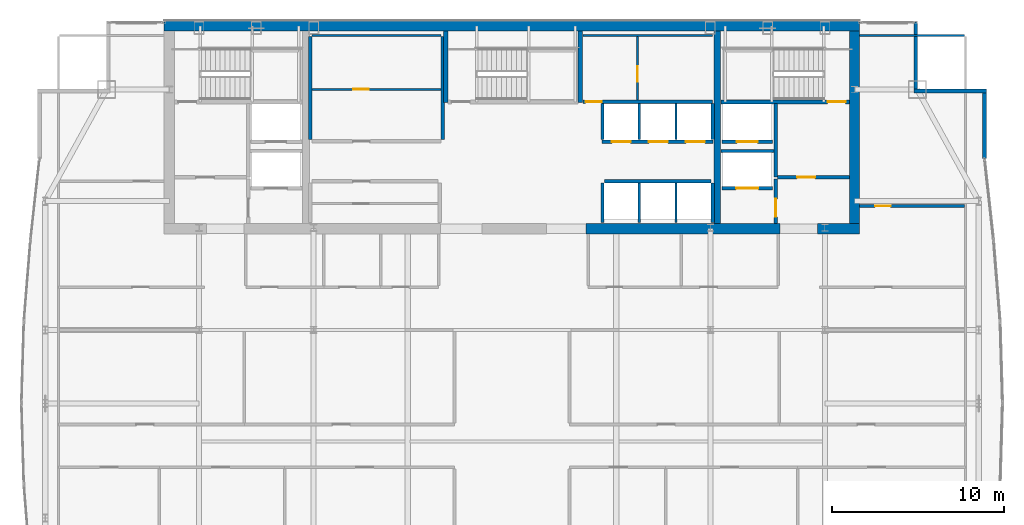
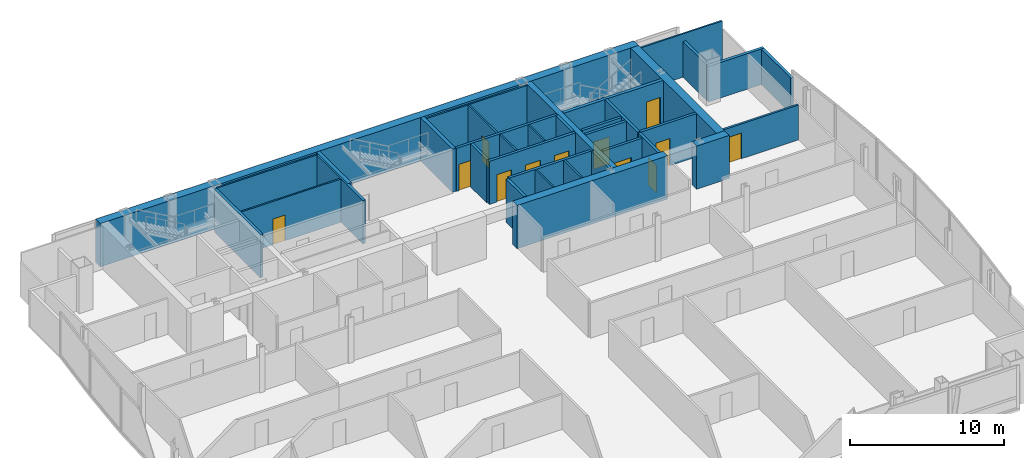
# One storey, part 26 of 29: 36 walls, 12 doors, 12 openings.
"""IFC4 building model written with IfcOpenShell, lengths in metres."""

import ifcopenshell
import ifcopenshell.guid

model = None  # the IFC model being written
_history = None  # IfcOwnerHistory: only IFC2X3 demands one
_inside = {}  # id of a spatial element -> (the spatial element, [elements in it])
_under = {}  # id of a project, library or spatial element -> (it, [spatial elements below it])
_declared = {}  # id of a project -> (the project, [libraries it declares])
_typed = {}  # id of a type object -> (the type object, [elements of that type])
_made_of = {}  # id of a material, layer set ... -> (it, [elements and type objects made of it])


def new_model(schema):
    """Start an empty IFC model of exactly this schema.

    Asked for "IFC4X3", IfcOpenShell would pick the latest addendum, in which some entities
    have other attributes; the version numbers below select the first issue.
    IFC2X3 requires an IfcOwnerHistory on every rooted entity: one is made here for all.
    """
    global model, _history
    if schema == "IFC4X3":
        model = ifcopenshell.file(schema_version=(4, 3, 0, 0))
    else:
        model = ifcopenshell.file(schema=schema)
    _inside.clear()
    _under.clear()
    _declared.clear()
    _typed.clear()
    _made_of.clear()
    _history = None
    if model.schema == "IFC2X3":
        org = make("IfcOrganization", Name="unknown")
        user = make(
            "IfcPersonAndOrganization",
            ThePerson=make("IfcPerson", FamilyName="unknown"),
            TheOrganization=org,
        )
        app = make(
            "IfcApplication",
            ApplicationDeveloper=org,
            Version="unknown",
            ApplicationFullName="unknown",
            ApplicationIdentifier="unknown",
        )
        _history = make(
            "IfcOwnerHistory",
            OwningUser=user,
            OwningApplication=app,
            ChangeAction="ADDED",
            CreationDate=0,
        )
    return model


def make(cls, **values):
    """One entity of the class cls with the attributes given. An attribute that is None is left unset."""
    return model.create_entity(
        cls, **{name: value for name, value in values.items() if value is not None}
    )


def rooted(cls, **values):
    """An entity with a GlobalId (a new one), such as an element, a storey or a relation."""
    return make(cls, GlobalId=ifcopenshell.guid.new(), OwnerHistory=_history, **values)


def si_unit(unit_type, name, prefix=None):
    """IfcSIUnit, for example si_unit("LENGTHUNIT", "METRE", prefix="MILLI")."""
    return make("IfcSIUnit", UnitType=unit_type, Prefix=prefix, Name=name)


def assignment(units):
    """IfcUnitAssignment: the units of a project."""
    return None if units is None else make("IfcUnitAssignment", Units=units)


def point(xyz):
    """IfcCartesianPoint."""
    return None if xyz is None else make("IfcCartesianPoint", Coordinates=xyz)


def direction(xyz):
    """IfcDirection."""
    return None if xyz is None else make("IfcDirection", DirectionRatios=xyz)


def frame(location, z_axis=None, x_axis=None):
    """IfcAxis2Placement3D, a coordinate frame: its origin and axes. An axis left out is left unset."""
    return make(
        "IfcAxis2Placement3D",
        Location=point(location),
        Axis=direction(z_axis),
        RefDirection=direction(x_axis),
    )


def frame_2d(location, x_axis=None):
    """IfcAxis2Placement2D, a coordinate frame in the plane: its origin and x axis."""
    return make(
        "IfcAxis2Placement2D", Location=point(location), RefDirection=direction(x_axis)
    )


def origin():
    """The frame at (0, 0, 0) with its axes left unset."""
    return frame((0.0, 0.0, 0.0))


def place(relative_to, where):
    """IfcLocalPlacement: puts the frame where relative to a parent placement (None: the world)."""
    return make(
        "IfcLocalPlacement", PlacementRelTo=relative_to, RelativePlacement=where
    )


def context(
    kind, dimensions, precision=None, world=None, true_north=None, identifier=None
):
    """IfcGeometricRepresentationContext, for example the 3D "Model" context."""
    return make(
        "IfcGeometricRepresentationContext",
        ContextIdentifier=identifier,
        ContextType=kind,
        CoordinateSpaceDimension=dimensions,
        Precision=precision,
        WorldCoordinateSystem=world,
        TrueNorth=true_north,
    )


def subcontext(parent, identifier, kind, view, scale=None):
    """IfcGeometricRepresentationSubContext, for example "Body" below "Model"."""
    return make(
        "IfcGeometricRepresentationSubContext",
        ContextIdentifier=identifier,
        ContextType=kind,
        ParentContext=parent,
        TargetScale=scale,
        TargetView=view,
    )


def project(units=None, contexts=None):
    """IfcProject with its units and contexts."""
    return rooted(
        "IfcProject",
        Name="project",
        RepresentationContexts=contexts,
        UnitsInContext=assignment(units),
    )


def spatial(cls, under=None, at=None, **own):
    """A site, building, storey or space (cls), placed at a placement, below another one or the project."""
    s = rooted(cls, ObjectPlacement=at, **own)
    if under is not None:
        _under.setdefault(under.id(), (under, []))[1].append(s)
    return s


def profile(cls, at=None, kind="AREA", **sizes):
    """A parametric profile (cls). Its sizes go by their IFC names, for example OverallWidth=200.0."""
    return make(cls, ProfileType=kind, Position=at, **sizes)


def rectangle(**sizes):
    """IfcRectangleProfileDef."""
    return profile("IfcRectangleProfileDef", **sizes)


def extrude(swept, where, along, depth):
    """IfcExtrudedAreaSolid: the profile swept, set in the frame where, extruded along a direction by depth."""
    return make(
        "IfcExtrudedAreaSolid",
        SweptArea=swept,
        Position=where,
        ExtrudedDirection=direction(along),
        Depth=depth,
    )


def shape(context_of_items, identifier, shape_type, items):
    """IfcShapeRepresentation: the items that make up one representation, for example the "Body"."""
    return make(
        "IfcShapeRepresentation",
        ContextOfItems=context_of_items,
        RepresentationIdentifier=identifier,
        RepresentationType=shape_type,
        Items=items,
    )


def material(Name=None, Category=None):
    """IfcMaterial."""
    return make("IfcMaterial", Name=Name, Category=Category)


def layer(
    of_material, thickness, ventilated=None, Name=None, Category=None, Priority=None
):
    """IfcMaterialLayer: one layer of a wall or slab, of a material (None: an air gap)."""
    return make(
        "IfcMaterialLayer",
        Material=of_material,
        LayerThickness=thickness,
        IsVentilated=ventilated,
        Name=Name,
        Category=Category,
        Priority=Priority,
    )


def layer_set(layers, Name=None):
    """IfcMaterialLayerSet."""
    return make("IfcMaterialLayerSet", MaterialLayers=layers, LayerSetName=Name)


def made_of(thing, what):
    """Note that an element or type object is made of a material, layer set ...; save() writes the relation."""
    if what is not None:
        _made_of.setdefault(what.id(), (what, []))[1].append(thing)
    return thing


def type_object(cls, material=None, **own):
    """A type object (cls), such as IfcWallType, which elements share."""
    return made_of(rooted(cls, **own), material)


def element(
    cls,
    number,
    at=None,
    inside=None,
    cuts=None,
    type_object=None,
    material=None,
    context=None,
    identifier="Body",
    shape_type=None,
    held_by="IfcProductDefinitionShape",
    body=None,
    shapes=None,
    **own,
):
    """One element of the class cls, such as IfcWall. Its Tag is "e" and its number.

    at: its placement. inside: the storey or other place that contains it. cuts: it is an
    opening in that element (IfcRelVoidsElement). A single representation is given by context,
    identifier, shape_type and body (its items); several are given by shapes. held_by: the class
    of the entity that holds the representations. save() writes the other relations.
    """
    e = rooted(cls, Tag="e%d" % number, ObjectPlacement=at, **own)
    if body is not None:
        shapes = [shape(context, identifier, shape_type, body)]
    if shapes is not None:
        e.Representation = make(held_by, Representations=shapes)
    if inside is not None:
        _inside.setdefault(inside.id(), (inside, []))[1].append(e)
    if cuts is not None:
        rooted(
            "IfcRelVoidsElement", RelatingBuildingElement=cuts, RelatedOpeningElement=e
        )
    if type_object is not None:
        _typed.setdefault(type_object.id(), (type_object, []))[1].append(e)
    return made_of(e, material)


def fill(opening, filler):
    """IfcRelFillsElement: the door or window that sits in an opening."""
    return rooted(
        "IfcRelFillsElement",
        RelatingOpeningElement=opening,
        RelatedBuildingElement=filler,
    )


def aggregate(whole, parts):
    """IfcRelAggregates: a whole, such as a stair, and the parts it consists of."""
    return rooted("IfcRelAggregates", RelatingObject=whole, RelatedObjects=parts)


def save(model, path):
    """Write the relations noted so far, then the file.

    IfcRelAggregates (storeys below a building ...), IfcRelContainedInSpatialStructure (elements
    in a storey), IfcRelDefinesByType, IfcRelAssociatesMaterial and IfcRelDeclares: one each for
    every whole, place, type object, material and project.
    """
    for whole, parts in _under.values():
        aggregate(whole, parts)
    for where, things in _inside.values():
        rooted(
            "IfcRelContainedInSpatialStructure",
            RelatedElements=things,
            RelatingStructure=where,
        )
    for kind, things in _typed.values():
        rooted("IfcRelDefinesByType", RelatedObjects=things, RelatingType=kind)
    for what, things in _made_of.values():
        rooted("IfcRelAssociatesMaterial", RelatedObjects=things, RelatingMaterial=what)
    for by, libraries in _declared.values():
        rooted("IfcRelDeclares", RelatingContext=by, RelatedDefinitions=libraries)
    model.write(path)


model = new_model("IFC4")

# Units and contexts
model_context = context("Model", 3, precision=1e-05, world=origin(), true_north=direction((0.0, 1.0)))
body_context = subcontext(model_context, "Body", "Model", "MODEL_VIEW")
ifc_project = project(units=[si_unit("LENGTHUNIT", "METRE"), si_unit("AREAUNIT", "SQUARE_METRE"), si_unit("VOLUMEUNIT", "CUBIC_METRE"), si_unit("PLANEANGLEUNIT", "RADIAN"), si_unit("MASSUNIT", "GRAM", prefix="KILO")], contexts=[model_context])

# Site, building, storey
site_placement = place(None, origin())
site = spatial("IfcSite", under=ifc_project, at=site_placement, CompositionType="ELEMENT")
building_placement = place(site_placement, origin())
building = spatial("IfcBuilding", under=site, at=building_placement, Name="Khoronbel Lancet Exchange", CompositionType="ELEMENT")
storey_placement = place(building_placement, frame((0.0, 0.0, 246.199951171875)))
storey = spatial("IfcBuildingStorey", under=building, at=storey_placement, Name="L63", CompositionType="ELEMENT", Elevation=246.199951171875)

# Walls
ifc_material_1 = material(Name="Concrete C60/75", Category="concrete")
ifc_layer_1 = layer(ifc_material_1, 0.60009765625, Name="Concrete C60/75")
ifc_layer_set_1 = layer_set([ifc_layer_1], Name="Concrete C60/75")
wall_type_1 = type_object("IfcWallType", Name="WL-CW3", PredefinedType="SHEAR", material=ifc_layer_set_1)
wall_1_placement = place(storey_placement, frame((16.199951171875, 53.39990234375, 0.0), z_axis=(0.0, 0.0, 1.0), x_axis=(1.0, 0.0, 0.0)))
element("IfcWall", 1, at=wall_1_placement, inside=storey, type_object=wall_type_1, Name="Level L63 rear core north shear wall", PredefinedType="SHEAR", context=body_context, shape_type="SweptSolid", body=[
    extrude(rectangle(XDim=40.5, YDim=0.60009765625, at=frame_2d((20.25, 0.0))), origin(), (0.0, 0.0, 1.0), 3.43994140625),
])
wall_2_placement = place(storey_placement, frame((56.39990234375, 53.10009765625, 0.0), z_axis=(0.0, 0.0, 1.0), x_axis=(0.0, -1.0, 0.0)))
element("IfcWall", 2, at=wall_2_placement, inside=storey, type_object=wall_type_1, Name="Level L63 rear core east shear wall", PredefinedType="SHEAR", context=body_context, shape_type="SweptSolid", body=[
    extrude(rectangle(XDim=11.2001953125, YDim=0.60009765625, at=frame_2d((5.60009765625, 0.0))), origin(), (0.0, 0.0, 1.0), 3.43994140625),
])
wall_3_placement = place(storey_placement, frame((52.050048828125, 41.60009765625, 0.0), z_axis=(0.0, 0.0, 1.0), x_axis=(-1.0, 0.0, 0.0)))
element("IfcWall", 3, at=wall_3_placement, inside=storey, type_object=wall_type_1, Name="Level L63 rear core south shear wall pier P4", PredefinedType="SHEAR", context=body_context, shape_type="SweptSolid", body=[
    extrude(rectangle(XDim=11.300048828125, YDim=0.60009765625, at=frame_2d((5.64990234375, 0.0))), origin(), (0.0, 0.0, 1.0), 3.43994140625),
])
wall_4_placement = place(storey_placement, frame((56.699951171875, 41.60009765625, 0.0), z_axis=(0.0, 0.0, 1.0), x_axis=(-1.0, 0.0, 0.0)))
element("IfcWall", 4, at=wall_4_placement, inside=storey, type_object=wall_type_1, Name="Level L63 rear core south shear wall pier P5", PredefinedType="SHEAR", context=body_context, shape_type="SweptSolid", body=[
    extrude(rectangle(XDim=2.449951171875, YDim=0.60009765625, at=frame_2d((1.22509765625, 0.0))), origin(), (0.0, 0.0, 1.0), 3.43994140625),
])
ifc_material_2 = material(Name="Precast concrete C40/50", Category="concrete")
ifc_layer_2 = layer(ifc_material_2, 0.25, Name="Precast concrete C40/50")
ifc_layer_set_2 = layer_set([ifc_layer_2], Name="Precast concrete C40/50")
wall_type_2 = type_object("IfcWallType", Name="WL-EXT250", PredefinedType="SOLIDWALL", material=ifc_layer_set_2)
wall_5_placement = place(storey_placement, frame((59.9599609375, 53.6298828125, 0.0), z_axis=(0.0, 0.0, 1.0), x_axis=(0.0, -1.0, 0.0)))
element("IfcWall", 5, at=wall_5_placement, inside=storey, type_object=wall_type_2, Name="Level L63 notched-corner limestone pier 14", PredefinedType="SOLIDWALL", context=body_context, shape_type="SweptSolid", body=[
    extrude(rectangle(XDim=3.909912109375, YDim=0.219970703125, at=frame_2d((1.955078125, 0.0))), origin(), (0.0, 0.0, 1.0), 2.830078125),
])
wall_6_placement = place(storey_placement, frame((59.85009765625, 49.610107421875, 0.0), z_axis=(0.0, 0.0, 1.0), x_axis=(1.0, 0.0, 0.0)))
element("IfcWall", 6, at=wall_6_placement, inside=storey, type_object=wall_type_2, Name="Level L63 notched-corner limestone pier 15", PredefinedType="SOLIDWALL", context=body_context, shape_type="SweptSolid", body=[
    extrude(rectangle(XDim=4.219970703125, YDim=0.219970703125, at=frame_2d((2.10986328125, 0.0))), origin(), (0.0, 0.0, 1.0), 2.830078125),
])
wall_7_placement = place(storey_placement, frame((63.9599609375, 49.5, 0.0), z_axis=(0.0, 0.0, 1.0), x_axis=(0.0, -1.0, 0.0)))
element("IfcWall", 7, at=wall_7_placement, inside=storey, type_object=wall_type_2, Name="Level L63 notched-corner limestone pier 16", PredefinedType="SOLIDWALL", context=body_context, shape_type="SweptSolid", body=[
    extrude(rectangle(XDim=3.824951171875, YDim=0.219970703125, at=frame_2d((1.91259765625, 0.0))), origin(), (0.0, 0.0, 1.0), 2.830078125),
])

# Wall, opening, door
ifc_material_3 = material(Name="Acoustic Metal-Stud & Mineral-Wool Gypsum Partition 120 mm", Category="gypsum")
ifc_layer_3 = layer(ifc_material_3, 0.1201171875, Name="Acoustic Metal-Stud & Mineral-Wool Gypsum Partition 120 mm")
ifc_layer_set_3 = layer_set([ifc_layer_3], Name="Acoustic Metal-Stud & Mineral-Wool Gypsum Partition 120 mm")
wall_type_3 = type_object("IfcWallType", Name="WL-PRT120", PredefinedType="PARTITIONING", material=ifc_layer_set_3)
wall_8_placement = place(storey_placement, frame((56.699951171875, 42.919921875, 0.0), z_axis=(0.0, 0.0, 1.0), x_axis=(1.0, 0.0, 0.0)))
wall_8 = element("IfcWall", 8, at=wall_8_placement, inside=storey, type_object=wall_type_3, Name="Level L63 interior partition PW-NE-H", PredefinedType="PARTITIONING", context=body_context, shape_type="SweptSolid", body=[
    extrude(rectangle(XDim=6.10498046875, YDim=0.14990234375, at=frame_2d((3.052490234375, 0.0))), origin(), (0.0, 0.0, 1.0), 2.780029296875),
])
opening_1_placement = place(wall_8_placement, frame((0.89990234375, 0.0, 0.0)))
opening_1 = element("IfcOpeningElement", 9, at=opening_1_placement, cuts=wall_8, Name="Opening D5", PredefinedType="OPENING", context=body_context, shape_type="SweptSolid", body=[
    extrude(rectangle(XDim=0.89990234375, YDim=2.050048828125, at=frame_2d((0.449951171875, 1.02490234375))), frame((0.0, 0.0849609375, 0.0), z_axis=(0.0, -1.0, 0.0), x_axis=(1.0, 0.0, 0.0)), (0.0, 0.0, 1.0), 0.169921875),
])
ifc_material_4 = material(Name="Acoustic Timber Pantry & Support Door", Category="wood")
door_type_1 = type_object("IfcDoorType", Name="DR-D5", OperationType="NOTDEFINED", PredefinedType="DOOR", material=ifc_material_4)
door_1_placement = place(opening_1_placement, origin())
door_1 = element("IfcDoor", 10, at=door_1_placement, inside=storey, type_object=door_type_1, Name="NE north room door L63-1", OperationType="SINGLE_SWING_RIGHT", OverallHeight=2.050048828125, OverallWidth=0.89990234375, PredefinedType="DOOR", context=body_context, shape_type="SweptSolid", body=[
    extrude(rectangle(XDim=0.89990234375, YDim=2.050048828125, at=frame_2d((0.449951171875, 1.02490234375))), frame((0.0, 0.02490234375, 0.0), z_axis=(0.0, -1.0, 0.0), x_axis=(1.0, 0.0, 0.0)), (0.0, 0.0, 1.0), 0.050048828125),
])
fill(opening_1, door_1)

# Walls
wall_9_placement = place(storey_placement, frame((56.699951171875, 52.840087890625, 0.0), z_axis=(0.0, 0.0, 1.0), x_axis=(1.0, 0.0, 0.0)))
element("IfcWall", 11, at=wall_9_placement, inside=storey, type_object=wall_type_3, Name="Level L63 interior partition PW-LIN-NE", PredefinedType="PARTITIONING", context=body_context, shape_type="SweptSolid", body=[
    extrude(rectangle(XDim=6.10498046875, YDim=0.1201171875, at=frame_2d((3.052490234375, 0.0))), origin(), (0.0, 0.0, 1.0), 3.43994140625),
])
ifc_material_5 = material(Name="Fire-Rated Metal-Stud & Mineral-Wool Gypsum Partition 120 mm", Category="gypsum")
ifc_layer_4 = layer(ifc_material_5, 0.1201171875, Name="Fire-Rated Metal-Stud & Mineral-Wool Gypsum Partition 120 mm")
ifc_layer_set_4 = layer_set([ifc_layer_4], Name="Fire-Rated Metal-Stud & Mineral-Wool Gypsum Partition 120 mm")
wall_type_4 = type_object("IfcWallType", Name="WL-PRT120F", PredefinedType="PARTITIONING", material=ifc_layer_set_4)
wall_10_placement = place(storey_placement, frame((24.804931640625, 52.860107421875, 0.0), z_axis=(0.0, 0.0, 1.0), x_axis=(1.0, 0.0, 0.0)))
element("IfcWall", 12, at=wall_10_placement, inside=storey, type_object=wall_type_4, Name="Level L63 interior partition CW-PL-RN", PredefinedType="PARTITIONING", context=body_context, shape_type="SweptSolid", body=[
    extrude(rectangle(XDim=7.510009765625, YDim=0.1201171875, at=frame_2d((3.7548828125, 0.0))), origin(), (0.0, 0.0, 1.0), 3.43994140625),
])

# Wall, opening, door
wall_11_placement = place(storey_placement, frame((24.804931640625, 49.708740234375, 0.0), z_axis=(0.0, 0.0, 1.0), x_axis=(1.0, 0.0, 0.0)))
wall_11 = element("IfcWall", 13, at=wall_11_placement, inside=storey, type_object=wall_type_4, Name="Level L63 interior partition CW-PL-RH", PredefinedType="PARTITIONING", context=body_context, shape_type="SweptSolid", body=[
    extrude(rectangle(XDim=7.510009765625, YDim=0.1201171875, at=frame_2d((3.7548828125, 0.0))), origin(), (0.0, 0.0, 1.0), 3.43994140625),
])
opening_2_placement = place(wall_11_placement, frame((2.39990234375, 0.0, 0.0)))
opening_2 = element("IfcOpeningElement", 14, at=opening_2_placement, cuts=wall_11, Name="Opening FD4", PredefinedType="OPENING", context=body_context, shape_type="SweptSolid", body=[
    extrude(rectangle(XDim=0.89990234375, YDim=2.050048828125, at=frame_2d((0.449951171875, 1.02490234375))), frame((0.0, 0.070068359375, 0.0), z_axis=(0.0, -1.0, 0.0), x_axis=(1.0, 0.0, 0.0)), (0.0, 0.0, 1.0), 0.14013671875),
])
ifc_material_6 = material(Name="Fire-Rated Steel Core Support Door Assembly", Category="steel")
door_type_2 = type_object("IfcDoorType", Name="DR-FD4", OperationType="NOTDEFINED", PredefinedType="DOOR", material=ifc_material_6)
door_2_placement = place(opening_2_placement, origin())
door_2 = element("IfcDoor", 15, at=door_2_placement, inside=storey, type_object=door_type_2, Name="Core PL inner store door L63-1", OperationType="SINGLE_SWING_RIGHT", OverallHeight=2.050048828125, OverallWidth=0.89990234375, PredefinedType="DOOR", context=body_context, shape_type="SweptSolid", body=[
    extrude(rectangle(XDim=0.89990234375, YDim=2.050048828125, at=frame_2d((0.449951171875, 1.02490234375))), frame((0.0, 0.02490234375, 0.0), z_axis=(0.0, -1.0, 0.0), x_axis=(1.0, 0.0, 0.0)), (0.0, 0.0, 1.0), 0.050048828125),
])
fill(opening_2, door_2)

# Walls
for number, where, z_axis, x_axis, name in (
    (16, (43.860107421875, 46.800048828125, 0.0), (0.0, 0.0, 1.0), (0.0, 1.0, 0.0), "Level L63 interior partition CW-PH-D1"),
    (17, (46.0, 46.800048828125, 0.0), (0.0, 0.0, 1.0), (0.0, 1.0, 0.0), "Level L63 interior partition CW-PH-D2"),
):
    element("IfcWall", number, at=place(storey_placement, frame(where, z_axis=z_axis, x_axis=x_axis)), inside=storey, type_object=wall_type_4, Name=name, PredefinedType="PARTITIONING", context=body_context, shape_type="SweptSolid", body=[
        extrude(rectangle(XDim=2.094970703125, YDim=0.1201171875, at=frame_2d((1.04736328125, 0.0))), origin(), (0.0, 0.0, 1.0), 3.43994140625),
    ])
for number, where, z_axis, x_axis, name in (
    (18, (43.860107421875, 41.949951171875, 0.0), (0.0, 0.0, 1.0), (0.0, 1.0, 0.0), "Level L63 interior partition CW-PX-D1"),
    (19, (46.0, 41.949951171875, 0.0), (0.0, 0.0, 1.0), (0.0, 1.0, 0.0), "Level L63 interior partition CW-PX-D2"),
):
    element("IfcWall", number, at=place(storey_placement, frame(where, z_axis=z_axis, x_axis=x_axis)), inside=storey, type_object=wall_type_4, Name=name, PredefinedType="PARTITIONING", context=body_context, shape_type="SweptSolid", body=[
        extrude(rectangle(XDim=2.295166015625, YDim=0.1201171875, at=frame_2d((1.1474609375, 0.0))), origin(), (0.0, 0.0, 1.0), 3.43994140625),
    ])
wall_12_placement = place(storey_placement, frame((40.580078125, 52.860107421875, 0.0), z_axis=(0.0, 0.0, 1.0), x_axis=(1.0, 0.0, 0.0)))
element("IfcWall", 20, at=wall_12_placement, inside=storey, type_object=wall_type_4, Name="Level L63 interior partition CW-SUP-NE-N", PredefinedType="PARTITIONING", context=body_context, shape_type="SweptSolid", body=[
    extrude(rectangle(XDim=7.559814453125, YDim=0.1201171875, at=frame_2d((3.77978515625, 0.0))), origin(), (0.0, 0.0, 1.0), 3.43994140625),
])

# Wall, opening, door
wall_13_placement = place(storey_placement, frame((43.755126953125, 49.10498046875, 0.0), z_axis=(0.0, 0.0, 1.0), x_axis=(0.0, 1.0, 0.0)))
wall_13 = element("IfcWall", 21, at=wall_13_placement, inside=storey, type_object=wall_type_4, Name="Level L63 interior partition CW-SUP-NE-M", PredefinedType="PARTITIONING", context=body_context, shape_type="SweptSolid", body=[
    extrude(rectangle(XDim=3.68994140625, YDim=0.1201171875, at=frame_2d((1.844970703125, 0.0))), origin(), (0.0, 0.0, 1.0), 3.43994140625),
])
opening_3_placement = place(wall_13_placement, frame((1.050048828125, 0.0, 0.0)))
opening_3 = element("IfcOpeningElement", 22, at=opening_3_placement, cuts=wall_13, Name="Opening FD4", PredefinedType="OPENING", context=body_context, shape_type="SweptSolid", body=[
    extrude(rectangle(XDim=0.89990234375, YDim=2.050048828125, at=frame_2d((0.449951171875, 1.02490234375))), frame((0.0, 0.070068359375, 0.0), z_axis=(0.0, -1.0, 0.0), x_axis=(1.0, 0.0, 0.0)), (0.0, 0.0, 1.0), 0.14013671875),
])
door_3_placement = place(opening_3_placement, origin())
door_3 = element("IfcDoor", 23, at=door_3_placement, inside=storey, type_object=door_type_2, Name="Core NE inner support door L63-1", OperationType="SINGLE_SWING_LEFT", OverallHeight=2.050048828125, OverallWidth=0.89990234375, PredefinedType="DOOR", context=body_context, shape_type="SweptSolid", body=[
    extrude(rectangle(XDim=0.89990234375, YDim=2.050048828125, at=frame_2d((0.449951171875, 1.02490234375))), frame((0.0, 0.02490234375, 0.0), z_axis=(0.0, -1.0, 0.0), x_axis=(1.0, 0.0, 0.0)), (0.0, 0.0, 1.0), 0.050048828125),
])
fill(opening_3, door_3)

ifc_material_7 = material(Name="Autoclaved Aerated Concrete Blockwork 200 mm", Category="masonry")
ifc_layer_5 = layer(ifc_material_7, 0.199951171875, Name="Autoclaved Aerated Concrete Blockwork 200 mm")
ifc_layer_set_5 = layer_set([ifc_layer_5], Name="Autoclaved Aerated Concrete Blockwork 200 mm")
wall_type_5 = type_object("IfcWallType", Name="WL-PRT200", PredefinedType="PARTITIONING", material=ifc_layer_set_5)
wall_14_placement = place(storey_placement, frame((51.610107421875, 43.949951171875, 0.0), z_axis=(0.0, 0.0, 1.0), x_axis=(-1.0, 0.0, 0.0)))
wall_14 = element("IfcWall", 24, at=wall_14_placement, inside=storey, type_object=wall_type_5, Name="Level L63 elevator hoistway landing front wall SVLE", PredefinedType="PARTITIONING", context=body_context, shape_type="SweptSolid", body=[
    extrude(rectangle(XDim=2.920166015625, YDim=0.199951171875, at=frame_2d((1.4599609375, 0.0))), origin(), (0.0, 0.0, 1.0), 3.43994140625),
])
opening_4_placement = place(wall_14_placement, frame((0.81005859375, 0.0, 0.0)))
opening_4 = element("IfcOpeningElement", 25, at=opening_4_placement, cuts=wall_14, Name="Opening LD-SVL2", PredefinedType="OPENING", context=body_context, shape_type="SweptSolid", body=[
    extrude(rectangle(XDim=1.300048828125, YDim=2.179931640625, at=frame_2d((0.64990234375, 1.08984375))), frame((0.0, 0.10986328125, 0.0), z_axis=(0.0, -1.0, 0.0), x_axis=(1.0, 0.0, 0.0)), (0.0, 0.0, 1.0), 0.219970703125),
])
ifc_material_8 = material(Name="Heavy-Duty Bi-Parting Goods Lift Landing Door", Category="steel")
door_type_3 = type_object("IfcDoorType", Name="DR-LD-SVL", OperationType="NOTDEFINED", PredefinedType="DOOR", material=ifc_material_8)
door_4_placement = place(opening_4_placement, origin())
door_4 = element("IfcDoor", 26, at=door_4_placement, inside=storey, type_object=door_type_3, Name="Elevator landing sliding door LD-SVL2 L63", OperationType="SLIDING_TO_LEFT", OverallHeight=2.179931640625, OverallWidth=1.300048828125, PredefinedType="DOOR", context=body_context, shape_type="SweptSolid", body=[
    extrude(rectangle(XDim=1.300048828125, YDim=2.179931640625, at=frame_2d((0.64990234375, 1.08984375))), frame((0.0, 0.02490234375, 0.0), z_axis=(0.0, -1.0, 0.0), x_axis=(1.0, 0.0, 0.0)), (0.0, 0.0, 1.0), 0.050048828125),
])
fill(opening_4, door_4)

wall_15_placement = place(storey_placement, frame((51.610107421875, 46.64990234375, 0.0), z_axis=(0.0, 0.0, 1.0), x_axis=(-1.0, 0.0, 0.0)))
wall_15 = element("IfcWall", 27, at=wall_15_placement, inside=storey, type_object=wall_type_5, Name="Level L63 elevator hoistway landing front wall FFLE", PredefinedType="PARTITIONING", context=body_context, shape_type="SweptSolid", body=[
    extrude(rectangle(XDim=2.920166015625, YDim=0.199951171875, at=frame_2d((1.4599609375, 0.0))), origin(), (0.0, 0.0, 1.0), 3.43994140625),
])
opening_5_placement = place(wall_15_placement, frame((0.860107421875, 0.0, 0.0)))
opening_5 = element("IfcOpeningElement", 28, at=opening_5_placement, cuts=wall_15, Name="Opening LD-FFL2", PredefinedType="OPENING", context=body_context, shape_type="SweptSolid", body=[
    extrude(rectangle(XDim=1.199951171875, YDim=2.179931640625, at=frame_2d((0.60009765625, 1.08984375))), frame((0.0, 0.10986328125, 0.0), z_axis=(0.0, -1.0, 0.0), x_axis=(1.0, 0.0, 0.0)), (0.0, 0.0, 1.0), 0.219970703125),
])
ifc_material_9 = material(Name="Fire-Rated Stainless Bi-Parting Firefighting Lift Door", Category="steel")
door_type_4 = type_object("IfcDoorType", Name="DR-LD-FFL", OperationType="NOTDEFINED", PredefinedType="DOOR", material=ifc_material_9)
door_5_placement = place(opening_5_placement, origin())
door_5 = element("IfcDoor", 29, at=door_5_placement, inside=storey, type_object=door_type_4, Name="Elevator landing sliding door LD-FFL2 L63", OperationType="SLIDING_TO_LEFT", OverallHeight=2.179931640625, OverallWidth=1.199951171875, PredefinedType="DOOR", context=body_context, shape_type="SweptSolid", body=[
    extrude(rectangle(XDim=1.199951171875, YDim=2.179931640625, at=frame_2d((0.60009765625, 1.08984375))), frame((0.0, 0.02490234375, 0.0), z_axis=(0.0, -1.0, 0.0), x_axis=(1.0, 0.0, 0.0)), (0.0, 0.0, 1.0), 0.050048828125),
])
fill(opening_5, door_5)

# Wall, openings, doors
wall_16_placement = place(storey_placement, frame((48.159912109375, 46.64990234375, 0.0), z_axis=(0.0, 0.0, 1.0), x_axis=(-1.0, 0.0, 0.0)))
wall_16 = element("IfcWall", 30, at=wall_16_placement, inside=storey, type_object=wall_type_5, Name="Level L63 elevator hoistway landing front wall PHE", PredefinedType="PARTITIONING", context=body_context, shape_type="SweptSolid", body=[
    extrude(rectangle(XDim=6.47998046875, YDim=0.199951171875, at=frame_2d((3.239990234375, 0.0))), origin(), (0.0, 0.0, 1.0), 3.43994140625),
])
opening_6_placement = place(wall_16_placement, frame((4.800048828125, 0.0, 0.0)))
opening_6 = element("IfcOpeningElement", 31, at=opening_6_placement, cuts=wall_16, Name="Opening LD-PH1", PredefinedType="OPENING", context=body_context, shape_type="SweptSolid", body=[
    extrude(rectangle(XDim=1.10009765625, YDim=2.179931640625, at=frame_2d((0.550048828125, 1.08984375))), frame((0.0, 0.10986328125, 0.0), z_axis=(0.0, -1.0, 0.0), x_axis=(1.0, 0.0, 0.0)), (0.0, 0.0, 1.0), 0.219970703125),
])
opening_7_placement = place(wall_16_placement, frame((2.639892578125, 0.0, 0.0)))
opening_7 = element("IfcOpeningElement", 32, at=opening_7_placement, cuts=wall_16, Name="Opening LD-PH2", PredefinedType="OPENING", context=body_context, shape_type="SweptSolid", body=[
    extrude(rectangle(XDim=1.10009765625, YDim=2.179931640625, at=frame_2d((0.550048828125, 1.08984375))), frame((0.0, 0.10986328125, 0.0), z_axis=(0.0, -1.0, 0.0), x_axis=(1.0, 0.0, 0.0)), (0.0, 0.0, 1.0), 0.219970703125),
])
opening_8_placement = place(wall_16_placement, frame((0.47998046875, 0.0, 0.0)))
opening_8 = element("IfcOpeningElement", 33, at=opening_8_placement, cuts=wall_16, Name="Opening LD-PH3", PredefinedType="OPENING", context=body_context, shape_type="SweptSolid", body=[
    extrude(rectangle(XDim=1.10009765625, YDim=2.179931640625, at=frame_2d((0.550048828125, 1.08984375))), frame((0.0, 0.10986328125, 0.0), z_axis=(0.0, -1.0, 0.0), x_axis=(1.0, 0.0, 0.0)), (0.0, 0.0, 1.0), 0.219970703125),
])
ifc_material_10 = material(Name="Brushed Bronze Bi-Parting Elevator Landing Door", Category="steel")
door_type_5 = type_object("IfcDoorType", Name="DR-LD-PAX", OperationType="NOTDEFINED", PredefinedType="DOOR", material=ifc_material_10)
door_6_placement = place(opening_6_placement, origin())
door_6 = element("IfcDoor", 34, at=door_6_placement, inside=storey, type_object=door_type_5, Name="Elevator landing sliding door LD-PH1 L63", OperationType="SLIDING_TO_LEFT", OverallHeight=2.179931640625, OverallWidth=1.10009765625, PredefinedType="DOOR", context=body_context, shape_type="SweptSolid", body=[
    extrude(rectangle(XDim=1.10009765625, YDim=2.179931640625, at=frame_2d((0.550048828125, 1.08984375))), frame((0.0, 0.02490234375, 0.0), z_axis=(0.0, -1.0, 0.0), x_axis=(1.0, 0.0, 0.0)), (0.0, 0.0, 1.0), 0.050048828125),
])
fill(opening_6, door_6)
door_7_placement = place(opening_7_placement, origin())
door_7 = element("IfcDoor", 35, at=door_7_placement, inside=storey, type_object=door_type_5, Name="Elevator landing sliding door LD-PH2 L63", OperationType="SLIDING_TO_LEFT", OverallHeight=2.179931640625, OverallWidth=1.10009765625, PredefinedType="DOOR", context=body_context, shape_type="SweptSolid", body=[
    extrude(rectangle(XDim=1.10009765625, YDim=2.179931640625, at=frame_2d((0.550048828125, 1.08984375))), frame((0.0, 0.02490234375, 0.0), z_axis=(0.0, -1.0, 0.0), x_axis=(1.0, 0.0, 0.0)), (0.0, 0.0, 1.0), 0.050048828125),
])
fill(opening_7, door_7)
door_8_placement = place(opening_8_placement, origin())
door_8 = element("IfcDoor", 36, at=door_8_placement, inside=storey, type_object=door_type_5, Name="Elevator landing sliding door LD-PH3 L63", OperationType="SLIDING_TO_LEFT", OverallHeight=2.179931640625, OverallWidth=1.10009765625, PredefinedType="DOOR", context=body_context, shape_type="SweptSolid", body=[
    extrude(rectangle(XDim=1.10009765625, YDim=2.179931640625, at=frame_2d((0.550048828125, 1.08984375))), frame((0.0, 0.02490234375, 0.0), z_axis=(0.0, -1.0, 0.0), x_axis=(1.0, 0.0, 0.0)), (0.0, 0.0, 1.0), 0.050048828125),
])
fill(opening_8, door_8)

# Wall
wall_17_placement = place(storey_placement, frame((51.800048828125, 44.60009765625, 0.0), z_axis=(0.0, 0.0, 1.0), x_axis=(0.0, 1.0, 0.0)))
element("IfcWall", 37, at=wall_17_placement, inside=storey, type_object=wall_type_5, Name="Level L63 interior partition CW-FFLE-W", PredefinedType="PARTITIONING", context=body_context, shape_type="SweptSolid", body=[
    extrude(rectangle(XDim=4.2998046875, YDim=0.199951171875, at=frame_2d((2.14990234375, 0.0))), origin(), (0.0, 0.0, 1.0), 3.43994140625),
])

# Wall, opening, door
wall_18_placement = place(storey_placement, frame((51.89990234375, 44.60009765625, 0.0), z_axis=(0.0, 0.0, 1.0), x_axis=(1.0, 0.0, 0.0)))
wall_18 = element("IfcWall", 38, at=wall_18_placement, inside=storey, type_object=wall_type_5, Name="Level L63 interior partition CW-FFLE-S", PredefinedType="PARTITIONING", context=body_context, shape_type="SweptSolid", body=[
    extrude(rectangle(XDim=4.2001953125, YDim=0.199951171875, at=frame_2d((2.10009765625, 0.0))), origin(), (0.0, 0.0, 1.0), 3.43994140625),
])
opening_9_placement = place(wall_18_placement, frame((1.14990234375, 0.0, 0.0)))
opening_9 = element("IfcOpeningElement", 39, at=opening_9_placement, cuts=wall_18, Name="Opening FD1", PredefinedType="OPENING", context=body_context, shape_type="SweptSolid", body=[
    extrude(rectangle(XDim=1.050048828125, YDim=2.14990234375, at=frame_2d((0.52490234375, 1.074951171875))), frame((0.0, 0.10986328125, 0.0), z_axis=(0.0, -1.0, 0.0), x_axis=(1.0, 0.0, 0.0)), (0.0, 0.0, 1.0), 0.219970703125),
])
ifc_material_11 = material(Name="Fire-Rated Painted Steel Door Assembly", Category="steel")
door_type_6 = type_object("IfcDoorType", Name="DR-FD1", OperationType="NOTDEFINED", PredefinedType="DOOR", material=ifc_material_11)
door_9_placement = place(opening_9_placement, origin())
door_9 = element("IfcDoor", 40, at=door_9_placement, inside=storey, type_object=door_type_6, Name="East firefighting lobby FD90S door L63-1", OperationType="SINGLE_SWING_RIGHT", OverallHeight=2.14990234375, OverallWidth=1.050048828125, PredefinedType="DOOR", context=body_context, shape_type="SweptSolid", body=[
    extrude(rectangle(XDim=1.050048828125, YDim=2.14990234375, at=frame_2d((0.52490234375, 1.074951171875))), frame((0.0, 0.02490234375, 0.0), z_axis=(0.0, -1.0, 0.0), x_axis=(1.0, 0.0, 0.0)), (0.0, 0.0, 1.0), 0.050048828125),
])
fill(opening_9, door_9)

# Wall
wall_19_placement = place(storey_placement, frame((48.6298828125, 46.1201171875, 0.0), z_axis=(0.0, 0.0, 1.0), x_axis=(1.0, 0.0, 0.0)))
element("IfcWall", 41, at=wall_19_placement, inside=storey, type_object=wall_type_5, Name="Level L63 interior partition CW-FFL2-S", PredefinedType="PARTITIONING", context=body_context, shape_type="SweptSolid", body=[
    extrude(rectangle(XDim=3.070068359375, YDim=0.199951171875, at=frame_2d((1.53515625, 0.0))), origin(), (0.0, 0.0, 1.0), 3.43994140625),
])

# Wall, opening, door
wall_20_placement = place(storey_placement, frame((51.800048828125, 41.89990234375, 0.0), z_axis=(0.0, 0.0, 1.0), x_axis=(0.0, 1.0, 0.0)))
wall_20 = element("IfcWall", 42, at=wall_20_placement, inside=storey, type_object=wall_type_5, Name="Level L63 interior partition CW-SVLE-E", PredefinedType="PARTITIONING", context=body_context, shape_type="SweptSolid", body=[
    extrude(rectangle(XDim=2.59521484375, YDim=0.199951171875, at=frame_2d((1.297607421875, 0.0))), origin(), (0.0, 0.0, 1.0), 3.43994140625),
])
opening_10_placement = place(wall_20_placement, frame((0.3798828125, 0.0, 0.0)))
opening_10 = element("IfcOpeningElement", 43, at=opening_10_placement, cuts=wall_20, Name="Opening FD1", PredefinedType="OPENING", context=body_context, shape_type="SweptSolid", body=[
    extrude(rectangle(XDim=1.050048828125, YDim=2.14990234375, at=frame_2d((0.52490234375, 1.074951171875))), frame((0.0, 0.10986328125, 0.0), z_axis=(0.0, -1.0, 0.0), x_axis=(1.0, 0.0, 0.0)), (0.0, 0.0, 1.0), 0.219970703125),
])
door_10_placement = place(opening_10_placement, origin())
door_10 = element("IfcDoor", 44, at=door_10_placement, inside=storey, type_object=door_type_6, Name="East service lift lobby door L63-1", OperationType="SINGLE_SWING_LEFT", OverallHeight=2.14990234375, OverallWidth=1.050048828125, PredefinedType="DOOR", context=body_context, shape_type="SweptSolid", body=[
    extrude(rectangle(XDim=1.050048828125, YDim=2.14990234375, at=frame_2d((0.52490234375, 1.074951171875))), frame((0.0, 0.02490234375, 0.0), z_axis=(0.0, -1.0, 0.0), x_axis=(1.0, 0.0, 0.0)), (0.0, 0.0, 1.0), 0.050048828125),
])
fill(opening_10, door_10)

# Walls
for number, where, z_axis, x_axis, name in (
    (45, (24.699951171875, 46.804931640625, 0.0), (0.0, 0.0, 1.0), (0.0, 1.0, 0.0), "Level L63 interior partition CW-PL-RW"),
    (46, (32.419921875, 46.804931640625, 0.0), (0.0, 0.0, 1.0), (0.0, 1.0, 0.0), "Level L63 interior partition CW-PL-RE"),
):
    element("IfcWall", number, at=place(storey_placement, frame(where, z_axis=z_axis, x_axis=x_axis)), inside=storey, type_object=wall_type_5, Name=name, PredefinedType="PARTITIONING", context=body_context, shape_type="SweptSolid", body=[
        extrude(rectangle(XDim=5.989990234375, YDim=0.199951171875, at=frame_2d((2.9951171875, 0.0))), origin(), (0.0, 0.0, 1.0), 3.43994140625),
    ])
for number, where, z_axis, x_axis, name in (
    (47, (41.719970703125, 46.800048828125, 0.0), (0.0, 0.0, 1.0), (0.0, 1.0, 0.0), "Level L63 interior partition CW-PH-W"),
    (48, (48.139892578125, 46.800048828125, 0.0), (0.0, 0.0, 1.0), (0.0, 1.0, 0.0), "Level L63 interior partition CW-PH-E"),
):
    element("IfcWall", number, at=place(storey_placement, frame(where, z_axis=z_axis, x_axis=x_axis)), inside=storey, type_object=wall_type_5, Name=name, PredefinedType="PARTITIONING", context=body_context, shape_type="SweptSolid", body=[
        extrude(rectangle(XDim=2.094970703125, YDim=0.199951171875, at=frame_2d((1.04736328125, 0.0))), origin(), (0.0, 0.0, 1.0), 3.43994140625),
    ])
wall_21_placement = place(storey_placement, frame((41.824951171875, 44.35009765625, 0.0), z_axis=(0.0, 0.0, 1.0), x_axis=(1.0, 0.0, 0.0)))
element("IfcWall", 49, at=wall_21_placement, inside=storey, type_object=wall_type_5, Name="Level L63 interior partition CW-PX-EXP", PredefinedType="PARTITIONING", context=body_context, shape_type="SweptSolid", body=[
    extrude(rectangle(XDim=6.2099609375, YDim=0.199951171875, at=frame_2d((3.10498046875, 0.0))), origin(), (0.0, 0.0, 1.0), 3.43994140625),
])
for number, where, z_axis, x_axis, name in (
    (50, (41.719970703125, 41.949951171875, 0.0), (0.0, 0.0, 1.0), (0.0, 1.0, 0.0), "Level L63 interior partition CW-PX-W"),
    (51, (48.139892578125, 41.949951171875, 0.0), (0.0, 0.0, 1.0), (0.0, 1.0, 0.0), "Level L63 interior partition CW-PX-E"),
):
    element("IfcWall", number, at=place(storey_placement, frame(where, z_axis=z_axis, x_axis=x_axis)), inside=storey, type_object=wall_type_5, Name=name, PredefinedType="PARTITIONING", context=body_context, shape_type="SweptSolid", body=[
        extrude(rectangle(XDim=2.295166015625, YDim=0.199951171875, at=frame_2d((1.1474609375, 0.0))), origin(), (0.0, 0.0, 1.0), 3.43994140625),
    ])

# Wall, opening, door
wall_22_placement = place(storey_placement, frame((40.580078125, 49.0, 0.0), z_axis=(0.0, 0.0, 1.0), x_axis=(1.0, 0.0, 0.0)))
wall_22 = element("IfcWall", 52, at=wall_22_placement, inside=storey, type_object=wall_type_5, Name="Level L63 interior partition CW-SUP-NE-S", PredefinedType="PARTITIONING", context=body_context, shape_type="SweptSolid", body=[
    extrude(rectangle(XDim=7.559814453125, YDim=0.199951171875, at=frame_2d((3.77978515625, 0.0))), origin(), (0.0, 0.0, 1.0), 3.43994140625),
])
opening_11_placement = place(wall_22_placement, frame((0.159912109375, 0.0, 0.0)))
opening_11 = element("IfcOpeningElement", 53, at=opening_11_placement, cuts=wall_22, Name="Opening FD3", PredefinedType="OPENING", context=body_context, shape_type="SweptSolid", body=[
    extrude(rectangle(XDim=0.949951171875, YDim=2.10009765625, at=frame_2d((0.47509765625, 1.050048828125))), frame((0.0, 0.10986328125, 0.0), z_axis=(0.0, -1.0, 0.0), x_axis=(1.0, 0.0, 0.0)), (0.0, 0.0, 1.0), 0.219970703125),
])
ifc_material_12 = material(Name="Fire-Rated Steel Plant & Riser Door Assembly", Category="steel")
door_type_7 = type_object("IfcDoorType", Name="DR-FD3", OperationType="NOTDEFINED", PredefinedType="DOOR", material=ifc_material_12)
door_11_placement = place(opening_11_placement, origin())
door_11 = element("IfcDoor", 54, at=door_11_placement, inside=storey, type_object=door_type_7, Name="Core NE support room door L63-1", OperationType="SINGLE_SWING_RIGHT", OverallHeight=2.10009765625, OverallWidth=0.949951171875, PredefinedType="DOOR", context=body_context, shape_type="SweptSolid", body=[
    extrude(rectangle(XDim=0.949951171875, YDim=2.10009765625, at=frame_2d((0.47509765625, 1.050048828125))), frame((0.0, 0.02490234375, 0.0), z_axis=(0.0, -1.0, 0.0), x_axis=(1.0, 0.0, 0.0)), (0.0, 0.0, 1.0), 0.050048828125),
])
fill(opening_11, door_11)

# Walls
ifc_layer_6 = layer(ifc_material_1, 0.39990234375, Name="Concrete C60/75")
ifc_layer_set_6 = layer_set([ifc_layer_6], Name="Concrete C60/75")
wall_type_6 = type_object("IfcWallType", Name="WL-SW2", PredefinedType="SHEAR", material=ifc_layer_set_6)
wall_23_placement = place(storey_placement, frame((48.39990234375, 41.89990234375, 0.0), z_axis=(0.0, 0.0, 1.0), x_axis=(0.0, 1.0, 0.0)))
element("IfcWall", 55, at=wall_23_placement, inside=storey, type_object=wall_type_6, Name="Level L63 rear core internal spine shear wall IE", PredefinedType="SHEAR", context=body_context, shape_type="SweptSolid", body=[
    extrude(rectangle(XDim=11.2001953125, YDim=0.39990234375, at=frame_2d((5.60009765625, 0.0))), origin(), (0.0, 0.0, 1.0), 3.43994140625),
])
ifc_layer_7 = layer(ifc_material_1, 0.260009765625, Name="Concrete C60/75")
ifc_layer_set_7 = layer_set([ifc_layer_7], Name="Concrete C60/75")
wall_type_7 = type_object("IfcWallType", Name="WL-SW3", PredefinedType="SHEAR", material=ifc_layer_set_7)
for number, where, z_axis, x_axis, name in (
    (56, (32.580078125, 48.949951171875, 0.0), (0.0, 0.0, 1.0), (0.0, 1.0, 0.0), "Level L63 central stairwell structural shear wall ST3W"),
    (57, (40.419921875, 48.949951171875, 0.0), (0.0, 0.0, 1.0), (0.0, 1.0, 0.0), "Level L63 central stairwell structural shear wall ST3E"),
):
    element("IfcWall", number, at=place(storey_placement, frame(where, z_axis=z_axis, x_axis=x_axis)), inside=storey, type_object=wall_type_7, Name=name, PredefinedType="SHEAR", context=body_context, shape_type="SweptSolid", body=[
        extrude(rectangle(XDim=4.150146484375, YDim=0.260009765625, at=frame_2d((2.0751953125, 0.0))), origin(), (0.0, 0.0, 1.0), 3.43994140625),
    ])

# Wall, opening, door
wall_24_placement = place(storey_placement, frame((48.6298828125, 48.97998046875, 0.0), z_axis=(0.0, 0.0, 1.0), x_axis=(1.0, 0.0, 0.0)))
wall_24 = element("IfcWall", 58, at=wall_24_placement, inside=storey, type_object=wall_type_7, Name="Level L63 east stairwell structural south wall", PredefinedType="SHEAR", context=body_context, shape_type="SweptSolid", body=[
    extrude(rectangle(XDim=7.47021484375, YDim=0.239990234375, at=frame_2d((3.735107421875, 0.0))), origin(), (0.0, 0.0, 1.0), 3.43994140625),
])
opening_12_placement = place(wall_24_placement, frame((6.199951171875, 0.0, 0.0)))
opening_12 = element("IfcOpeningElement", 59, at=opening_12_placement, cuts=wall_24, Name="Opening SD1", PredefinedType="OPENING", context=body_context, shape_type="SweptSolid", body=[
    extrude(rectangle(XDim=1.050048828125, YDim=2.14990234375, at=frame_2d((0.52490234375, 1.074951171875))), frame((0.0, 0.1298828125, 0.0), z_axis=(0.0, -1.0, 0.0), x_axis=(1.0, 0.0, 0.0)), (0.0, 0.0, 1.0), 0.260009765625),
])
ifc_material_13 = material(Name="Fire-Rated Steel Stairwell Door Assembly", Category="steel")
door_type_8 = type_object("IfcDoorType", Name="DR-SD1", OperationType="NOTDEFINED", PredefinedType="DOOR", material=ifc_material_13)
door_12_placement = place(opening_12_placement, origin())
door_12 = element("IfcDoor", 60, at=door_12_placement, inside=storey, type_object=door_type_8, Name="Protected exit stair ST2 door L63", OperationType="SINGLE_SWING_RIGHT", OverallHeight=2.14990234375, OverallWidth=1.050048828125, PredefinedType="DOOR", context=body_context, shape_type="SweptSolid", body=[
    extrude(rectangle(XDim=1.050048828125, YDim=2.14990234375, at=frame_2d((0.52490234375, 1.074951171875))), frame((0.0, 0.02490234375, 0.0), z_axis=(0.0, -1.0, 0.0), x_axis=(1.0, 0.0, 0.0)), (0.0, 0.0, 1.0), 0.050048828125),
])
fill(opening_12, door_12)

save(model, "model.ifc")
